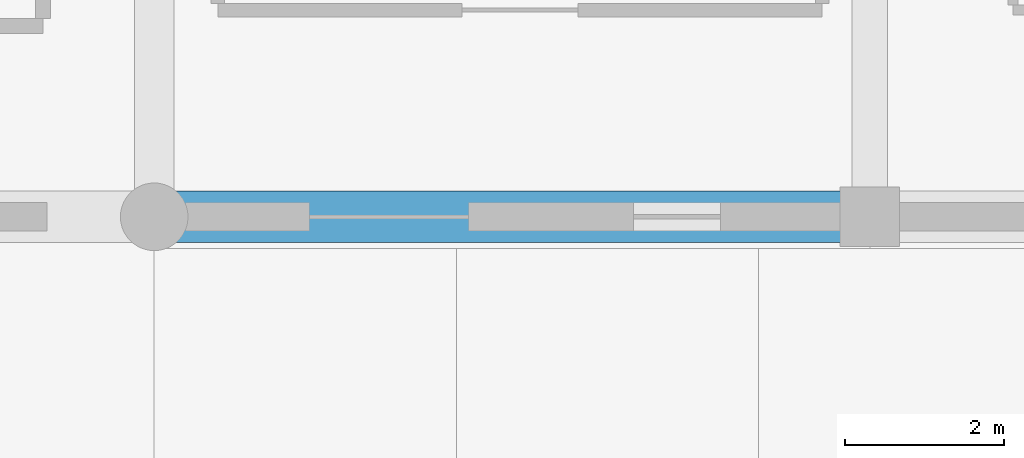
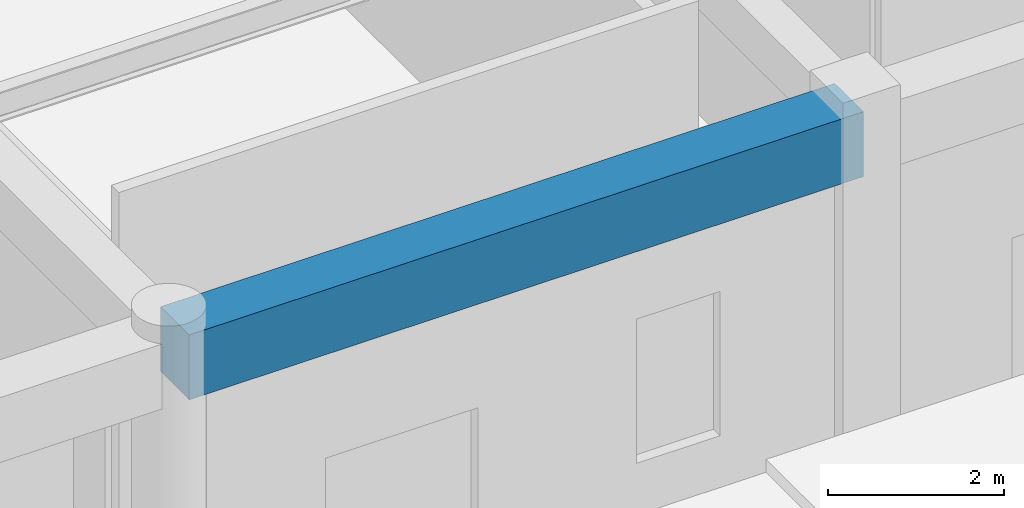
# One storey, part 50 of 128: 1 beam.
"""IFC4 building model written with IfcOpenShell, lengths in metres."""

import ifcopenshell
import ifcopenshell.guid

model = None  # the IFC model being written
_history = None  # IfcOwnerHistory: only IFC2X3 demands one
_inside = {}  # id of a spatial element -> (the spatial element, [elements in it])
_under = {}  # id of a project, library or spatial element -> (it, [spatial elements below it])
_declared = {}  # id of a project -> (the project, [libraries it declares])
_typed = {}  # id of a type object -> (the type object, [elements of that type])
_made_of = {}  # id of a material, layer set ... -> (it, [elements and type objects made of it])


def new_model(schema):
    """Start an empty IFC model of exactly this schema.

    Asked for "IFC4X3", IfcOpenShell would pick the latest addendum, in which some entities
    have other attributes; the version numbers below select the first issue.
    IFC2X3 requires an IfcOwnerHistory on every rooted entity: one is made here for all.
    """
    global model, _history
    if schema == "IFC4X3":
        model = ifcopenshell.file(schema_version=(4, 3, 0, 0))
    else:
        model = ifcopenshell.file(schema=schema)
    _inside.clear()
    _under.clear()
    _declared.clear()
    _typed.clear()
    _made_of.clear()
    _history = None
    if model.schema == "IFC2X3":
        org = make("IfcOrganization", Name="unknown")
        user = make(
            "IfcPersonAndOrganization",
            ThePerson=make("IfcPerson", FamilyName="unknown"),
            TheOrganization=org,
        )
        app = make(
            "IfcApplication",
            ApplicationDeveloper=org,
            Version="unknown",
            ApplicationFullName="unknown",
            ApplicationIdentifier="unknown",
        )
        _history = make(
            "IfcOwnerHistory",
            OwningUser=user,
            OwningApplication=app,
            ChangeAction="ADDED",
            CreationDate=0,
        )
    return model


def make(cls, **values):
    """One entity of the class cls with the attributes given. An attribute that is None is left unset."""
    return model.create_entity(
        cls, **{name: value for name, value in values.items() if value is not None}
    )


def rooted(cls, **values):
    """An entity with a GlobalId (a new one), such as an element, a storey or a relation."""
    return make(cls, GlobalId=ifcopenshell.guid.new(), OwnerHistory=_history, **values)


def si_unit(unit_type, name, prefix=None):
    """IfcSIUnit, for example si_unit("LENGTHUNIT", "METRE", prefix="MILLI")."""
    return make("IfcSIUnit", UnitType=unit_type, Prefix=prefix, Name=name)


def assignment(units):
    """IfcUnitAssignment: the units of a project."""
    return None if units is None else make("IfcUnitAssignment", Units=units)


def point(xyz):
    """IfcCartesianPoint."""
    return None if xyz is None else make("IfcCartesianPoint", Coordinates=xyz)


def direction(xyz):
    """IfcDirection."""
    return None if xyz is None else make("IfcDirection", DirectionRatios=xyz)


def frame(location, z_axis=None, x_axis=None):
    """IfcAxis2Placement3D, a coordinate frame: its origin and axes. An axis left out is left unset."""
    return make(
        "IfcAxis2Placement3D",
        Location=point(location),
        Axis=direction(z_axis),
        RefDirection=direction(x_axis),
    )


def frame_2d(location, x_axis=None):
    """IfcAxis2Placement2D, a coordinate frame in the plane: its origin and x axis."""
    return make(
        "IfcAxis2Placement2D", Location=point(location), RefDirection=direction(x_axis)
    )


def origin():
    """The frame at (0, 0, 0) with its axes left unset."""
    return frame((0.0, 0.0, 0.0))


def origin_2d():
    """The frame at (0, 0) in the plane with its x axis left unset."""
    return frame_2d((0.0, 0.0))


def place(relative_to, where):
    """IfcLocalPlacement: puts the frame where relative to a parent placement (None: the world)."""
    return make(
        "IfcLocalPlacement", PlacementRelTo=relative_to, RelativePlacement=where
    )


def context(
    kind, dimensions, precision=None, world=None, true_north=None, identifier=None
):
    """IfcGeometricRepresentationContext, for example the 3D "Model" context."""
    return make(
        "IfcGeometricRepresentationContext",
        ContextIdentifier=identifier,
        ContextType=kind,
        CoordinateSpaceDimension=dimensions,
        Precision=precision,
        WorldCoordinateSystem=world,
        TrueNorth=true_north,
    )


def subcontext(parent, identifier, kind, view, scale=None):
    """IfcGeometricRepresentationSubContext, for example "Body" below "Model"."""
    return make(
        "IfcGeometricRepresentationSubContext",
        ContextIdentifier=identifier,
        ContextType=kind,
        ParentContext=parent,
        TargetScale=scale,
        TargetView=view,
    )


def project(units=None, contexts=None):
    """IfcProject with its units and contexts."""
    return rooted(
        "IfcProject",
        Name="project",
        RepresentationContexts=contexts,
        UnitsInContext=assignment(units),
    )


def spatial(cls, under=None, at=None, **own):
    """A site, building, storey or space (cls), placed at a placement, below another one or the project."""
    s = rooted(cls, ObjectPlacement=at, **own)
    if under is not None:
        _under.setdefault(under.id(), (under, []))[1].append(s)
    return s


def profile(cls, at=None, kind="AREA", **sizes):
    """A parametric profile (cls). Its sizes go by their IFC names, for example OverallWidth=200.0."""
    return make(cls, ProfileType=kind, Position=at, **sizes)


def rectangle(**sizes):
    """IfcRectangleProfileDef."""
    return profile("IfcRectangleProfileDef", **sizes)


def extrude(swept, where, along, depth):
    """IfcExtrudedAreaSolid: the profile swept, set in the frame where, extruded along a direction by depth."""
    return make(
        "IfcExtrudedAreaSolid",
        SweptArea=swept,
        Position=where,
        ExtrudedDirection=direction(along),
        Depth=depth,
    )


def shape(context_of_items, identifier, shape_type, items):
    """IfcShapeRepresentation: the items that make up one representation, for example the "Body"."""
    return make(
        "IfcShapeRepresentation",
        ContextOfItems=context_of_items,
        RepresentationIdentifier=identifier,
        RepresentationType=shape_type,
        Items=items,
    )


def material(Name=None, Category=None):
    """IfcMaterial."""
    return make("IfcMaterial", Name=Name, Category=Category)


def material_profile(
    of_material, cross_section, Name=None, Category=None, Priority=None
):
    """IfcMaterialProfile: a cross section and its material."""
    return make(
        "IfcMaterialProfile",
        Name=Name,
        Material=of_material,
        Profile=cross_section,
        Priority=Priority,
        Category=Category,
    )


def profile_set(profiles, Name=None, composite=None):
    """IfcMaterialProfileSet."""
    return make(
        "IfcMaterialProfileSet",
        Name=Name,
        MaterialProfiles=profiles,
        CompositeProfile=composite,
    )


def made_of(thing, what):
    """Note that an element or type object is made of a material, layer set ...; save() writes the relation."""
    if what is not None:
        _made_of.setdefault(what.id(), (what, []))[1].append(thing)
    return thing


def type_object(cls, material=None, **own):
    """A type object (cls), such as IfcWallType, which elements share."""
    return made_of(rooted(cls, **own), material)


def element(
    cls,
    number,
    at=None,
    inside=None,
    cuts=None,
    type_object=None,
    material=None,
    context=None,
    identifier="Body",
    shape_type=None,
    held_by="IfcProductDefinitionShape",
    body=None,
    shapes=None,
    **own,
):
    """One element of the class cls, such as IfcWall. Its Tag is "e" and its number.

    at: its placement. inside: the storey or other place that contains it. cuts: it is an
    opening in that element (IfcRelVoidsElement). A single representation is given by context,
    identifier, shape_type and body (its items); several are given by shapes. held_by: the class
    of the entity that holds the representations. save() writes the other relations.
    """
    e = rooted(cls, Tag="e%d" % number, ObjectPlacement=at, **own)
    if body is not None:
        shapes = [shape(context, identifier, shape_type, body)]
    if shapes is not None:
        e.Representation = make(held_by, Representations=shapes)
    if inside is not None:
        _inside.setdefault(inside.id(), (inside, []))[1].append(e)
    if cuts is not None:
        rooted(
            "IfcRelVoidsElement", RelatingBuildingElement=cuts, RelatedOpeningElement=e
        )
    if type_object is not None:
        _typed.setdefault(type_object.id(), (type_object, []))[1].append(e)
    return made_of(e, material)


def aggregate(whole, parts):
    """IfcRelAggregates: a whole, such as a stair, and the parts it consists of."""
    return rooted("IfcRelAggregates", RelatingObject=whole, RelatedObjects=parts)


def save(model, path):
    """Write the relations noted so far, then the file.

    IfcRelAggregates (storeys below a building ...), IfcRelContainedInSpatialStructure (elements
    in a storey), IfcRelDefinesByType, IfcRelAssociatesMaterial and IfcRelDeclares: one each for
    every whole, place, type object, material and project.
    """
    for whole, parts in _under.values():
        aggregate(whole, parts)
    for where, things in _inside.values():
        rooted(
            "IfcRelContainedInSpatialStructure",
            RelatedElements=things,
            RelatingStructure=where,
        )
    for kind, things in _typed.values():
        rooted("IfcRelDefinesByType", RelatedObjects=things, RelatingType=kind)
    for what, things in _made_of.values():
        rooted("IfcRelAssociatesMaterial", RelatedObjects=things, RelatingMaterial=what)
    for by, libraries in _declared.values():
        rooted("IfcRelDeclares", RelatingContext=by, RelatedDefinitions=libraries)
    model.write(path)


model = new_model("IFC4")

# Units and contexts
model_context = context("Model", 3, precision=1e-05, world=origin(), true_north=direction((0.0, 1.0)))
body_context = subcontext(model_context, "Body", "Model", "MODEL_VIEW")
ifc_project = project(units=[si_unit("LENGTHUNIT", "METRE"), si_unit("AREAUNIT", "SQUARE_METRE"), si_unit("VOLUMEUNIT", "CUBIC_METRE"), si_unit("PLANEANGLEUNIT", "RADIAN"), si_unit("MASSUNIT", "GRAM", prefix="KILO")], contexts=[model_context])

# Site, building, storey
site_placement = place(None, origin())
site = spatial("IfcSite", under=ifc_project, at=site_placement, CompositionType="ELEMENT")
building_placement = place(site_placement, origin())
building = spatial("IfcBuilding", under=site, at=building_placement, Name="Miravela Opera House", CompositionType="ELEMENT")
storey_placement = place(building_placement, origin())
storey = spatial("IfcBuildingStorey", under=building, at=storey_placement, Name="L00", CompositionType="ELEMENT", Elevation=0.0)

# Beam
ifc_material = material(Name="Concrete C40/50", Category="concrete")
ifc_material_profile = material_profile(ifc_material, rectangle(XDim=0.64990234375, YDim=0.89990234375, at=origin_2d()), Name="RC-BM-650X900")
ifc_profile_set = profile_set([ifc_material_profile])
beam_type = type_object("IfcBeamType", Name="STR-BM-RC650X900", PredefinedType="BEAM", material=ifc_profile_set)
beam_placement = place(storey_placement, frame((9.080078125, 84.0, 4.39990234375), z_axis=(1.0, 0.0, 0.0), x_axis=(0.0, 1.0, 0.0)))
element("IfcBeam", 1, at=beam_placement, inside=storey, type_object=beam_type, Name="Floor Girder L00 2-3/J", PredefinedType="BEAM", context=body_context, shape_type="SweptSolid", body=[
    extrude(rectangle(XDim=0.64990234375, YDim=0.89990234375, at=origin_2d()), origin(), (0.0, 0.0, 1.0), 8.83984375),
])

save(model, "model.ifc")
